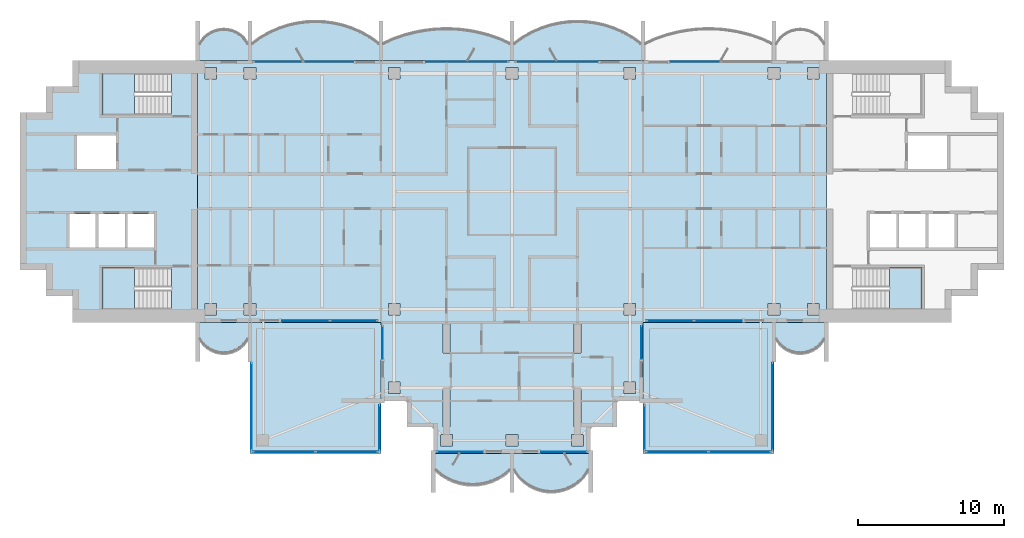
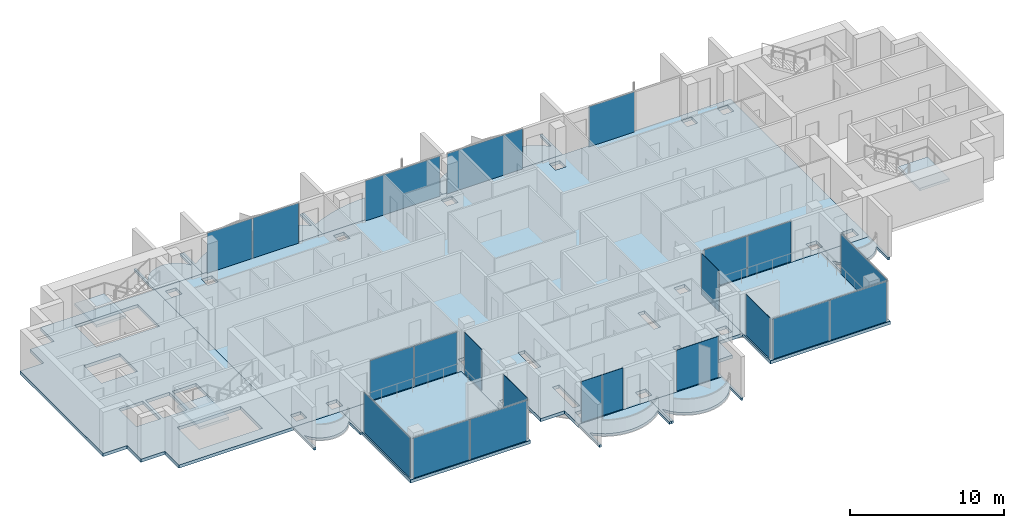
# One storey, part 5 of 16: 21 plates, 15 slabs, 19 elements without a shape of their own.
"""IFC4 building model written with IfcOpenShell, lengths in metres."""

from ifc_helpers import new_model, si_unit, direction, frame, origin, origin_2d, place, context, subcontext, project, spatial, polyline, rectangle, outline, extrude, material, layer, layer_set, type_object, element, aggregate, save


model = new_model("IFC4")

# Units and contexts
model_context = context("Model", 3, precision=1e-05, world=origin(), true_north=direction((0.0, 1.0)))
body_context = subcontext(model_context, "Body", "Model", "MODEL_VIEW")
ifc_project = project(units=[si_unit("LENGTHUNIT", "METRE"), si_unit("AREAUNIT", "SQUARE_METRE"), si_unit("VOLUMEUNIT", "CUBIC_METRE"), si_unit("PLANEANGLEUNIT", "RADIAN"), si_unit("MASSUNIT", "GRAM", prefix="KILO")], contexts=[model_context])

# Site, building, storey
site_placement = place(None, origin())
site = spatial("IfcSite", under=ifc_project, at=site_placement, CompositionType="ELEMENT")
building_placement = place(site_placement, origin())
building = spatial("IfcBuilding", under=site, at=building_placement, Name="Perihelion Cross Residences", CompositionType="ELEMENT")
storey_placement = place(building_placement, frame((0.0, 0.0, 246.5)))
storey = spatial("IfcBuildingStorey", under=building, at=storey_placement, Name="L62", CompositionType="ELEMENT", Elevation=246.5)

# Slabs
ifc_material_1 = material(Name="Concrete C40/50", Category="concrete")
ifc_layer_1 = layer(ifc_material_1, 0.199951171875)
ifc_layer_set_1 = layer_set([ifc_layer_1], Name="Balcony slab 200")
slab_type_1 = type_object("IfcSlabType", Name="Balcony slab 200", PredefinedType="FLOOR", material=ifc_layer_set_1)
slab_1_placement = place(storey_placement, frame((0.0, 0.0, -0.199951171875)))
element("IfcSlab", 1, at=slab_1_placement, inside=storey, type_object=slab_type_1, Name="Slab BK1 L62 north side east bay 1 balcony", PredefinedType="FLOOR", context=body_context, shape_type="SweptSolid", body=[
    extrude(outline(polyline([(9.0, 9.0), (0.0, 9.0), (0.0, 11.699951171875), (0.14990234375, 11.699951171875), (0.14990234375, 10.199951171875), (0.771484375, 10.634765625), (1.392822265625, 10.979248046875), (2.014404296875, 11.247802734375), (2.6357421875, 11.44921875), (3.257080078125, 11.589599609375), (3.878662109375, 11.672607421875), (4.5, 11.699951171875), (5.121337890625, 11.672607421875), (5.742919921875, 11.589599609375), (6.3642578125, 11.44921875), (6.985595703125, 11.247802734375), (7.607177734375, 10.979248046875), (8.228515625, 10.634765625), (8.85009765625, 10.199951171875), (8.85009765625, 11.699951171875), (9.0, 11.699951171875), (9.0, 9.0)])), origin(), (0.0, 0.0, 1.0), 0.199951171875),
])
slab_2_placement = place(storey_placement, frame((0.0, 0.0, -0.199951171875)))
element("IfcSlab", 2, at=slab_2_placement, inside=storey, type_object=slab_type_1, Name="Slab BK1 L62 north side east bay 2 balcony", PredefinedType="FLOOR", context=body_context, shape_type="SweptSolid", body=[
    extrude(outline(polyline([(0.0, 9.0), (-9.0, 9.0), (-9.0, 11.699951171875), (-8.85009765625, 11.699951171875), (-8.85009765625, 10.199951171875), (-8.125, 10.51708984375), (-7.39990234375, 10.7685546875), (-6.675048828125, 10.959716796875), (-5.949951171875, 11.093994140625), (-5.22509765625, 11.173583984375), (-4.5, 11.199951171875), (-3.77490234375, 11.173583984375), (-3.050048828125, 11.093994140625), (-2.324951171875, 10.959716796875), (-1.60009765625, 10.7685546875), (-0.875, 10.51708984375), (-0.14990234375, 10.199951171875), (-0.14990234375, 11.699951171875), (0.0, 11.699951171875), (0.0, 9.0)])), origin(), (0.0, 0.0, 1.0), 0.199951171875),
])
slab_3_placement = place(storey_placement, frame((0.0, 0.0, -0.199951171875)))
element("IfcSlab", 3, at=slab_3_placement, inside=storey, type_object=slab_type_1, Name="Slab BK1 L62 west side north bay 1 balcony", PredefinedType="FLOOR", context=body_context, shape_type="SweptSolid", body=[
    extrude(outline(polyline([(-9.0, 9.0), (-18.0, 9.0), (-18.0, 11.699951171875), (-17.85009765625, 11.699951171875), (-17.85009765625, 10.199951171875), (-17.228515625, 10.634765625), (-16.607177734375, 10.979248046875), (-15.985595703125, 11.247802734375), (-15.3642578125, 11.44921875), (-14.742919921875, 11.589599609375), (-14.121337890625, 11.672607421875), (-13.5, 11.699951171875), (-12.878662109375, 11.672607421875), (-12.257080078125, 11.589599609375), (-11.6357421875, 11.44921875), (-11.014404296875, 11.247802734375), (-10.392822265625, 10.979248046875), (-9.771484375, 10.634765625), (-9.14990234375, 10.199951171875), (-9.14990234375, 11.699951171875), (-9.0, 11.699951171875), (-9.0, 9.0)])), origin(), (0.0, 0.0, 1.0), 0.199951171875),
])
slab_4_placement = place(storey_placement, frame((0.0, 0.0, -0.199951171875)))
element("IfcSlab", 4, at=slab_4_placement, inside=storey, type_object=slab_type_1, Name="Slab BK1 L62 west side north bay 2 balcony", PredefinedType="FLOOR", context=body_context, shape_type="SweptSolid", body=[
    extrude(outline(polyline([(-18.0, 9.0), (-21.60009765625, 9.0), (-21.60009765625, 11.699951171875), (-21.449951171875, 11.699951171875), (-21.449951171875, 10.199951171875), (-21.175048828125, 10.568603515625), (-20.89990234375, 10.806396484375), (-20.625, 10.96875), (-20.35009765625, 11.07568359375), (-20.074951171875, 11.136962890625), (-19.800048828125, 11.156982421875), (-19.52490234375, 11.136962890625), (-19.25, 11.07568359375), (-18.97509765625, 10.96875), (-18.699951171875, 10.806396484375), (-18.425048828125, 10.568603515625), (-18.14990234375, 10.199951171875), (-18.14990234375, 11.699951171875), (-18.0, 11.699951171875), (-18.0, 9.0)])), origin(), (0.0, 0.0, 1.0), 0.199951171875),
])
slab_5_placement = place(storey_placement, frame((0.0, 0.0, -0.199951171875)))
element("IfcSlab", 5, at=slab_5_placement, inside=storey, type_object=slab_type_1, Name="Slab BK1 L62 west side south bay 1 balcony", PredefinedType="FLOOR", context=body_context, shape_type="SweptSolid", body=[
    extrude(outline(polyline([(-21.60009765625, -9.0), (-18.0, -9.0), (-18.0, -11.699951171875), (-18.14990234375, -11.699951171875), (-18.14990234375, -10.199951171875), (-18.425048828125, -10.568603515625), (-18.699951171875, -10.806396484375), (-18.97509765625, -10.96875), (-19.25, -11.07568359375), (-19.52490234375, -11.136962890625), (-19.800048828125, -11.156982421875), (-20.074951171875, -11.136962890625), (-20.35009765625, -11.07568359375), (-20.625, -10.96875), (-20.89990234375, -10.806396484375), (-21.175048828125, -10.568603515625), (-21.449951171875, -10.199951171875), (-21.449951171875, -11.699951171875), (-21.60009765625, -11.699951171875), (-21.60009765625, -9.0)])), origin(), (0.0, 0.0, 1.0), 0.199951171875),
])
slab_6_placement = place(storey_placement, frame((0.0, 0.0, -0.199951171875)))
element("IfcSlab", 6, at=slab_6_placement, inside=storey, type_object=slab_type_1, Name="Slab BK1 L62 south tip south bay 1 balcony", PredefinedType="FLOOR", context=body_context, shape_type="SweptSolid", body=[
    extrude(outline(polyline([(-5.39990234375, -18.0), (0.0, -18.0), (0.0, -20.699951171875), (-0.14990234375, -20.699951171875), (-0.14990234375, -19.199951171875), (-0.574951171875, -19.5400390625), (-1.0, -19.792724609375), (-1.425048828125, -19.9765625), (-1.85009765625, -20.1025390625), (-2.27490234375, -20.17578125), (-2.699951171875, -20.199951171875), (-3.125, -20.17578125), (-3.550048828125, -20.1025390625), (-3.97509765625, -19.9765625), (-4.39990234375, -19.792724609375), (-4.824951171875, -19.5400390625), (-5.25, -19.199951171875), (-5.25, -20.699951171875), (-5.39990234375, -20.699951171875), (-5.39990234375, -18.0)])), origin(), (0.0, 0.0, 1.0), 0.199951171875),
])
slab_7_placement = place(storey_placement, frame((0.0, 0.0, -0.199951171875)))
element("IfcSlab", 7, at=slab_7_placement, inside=storey, type_object=slab_type_1, Name="Slab BK1 L62 south tip south bay 2 balcony", PredefinedType="FLOOR", context=body_context, shape_type="SweptSolid", body=[
    extrude(outline(polyline([(0.0, -18.0), (5.39990234375, -18.0), (5.39990234375, -20.699951171875), (5.25, -20.699951171875), (5.25, -19.199951171875), (4.909912109375, -19.6767578125), (4.570068359375, -20.007080078125), (4.22998046875, -20.2490234375), (3.889892578125, -20.42724609375), (3.550048828125, -20.553466796875), (3.2099609375, -20.63427734375), (2.8701171875, -20.674072265625), (2.530029296875, -20.674072265625), (2.18994140625, -20.63427734375), (1.85009765625, -20.553466796875), (1.510009765625, -20.42724609375), (1.169921875, -20.2490234375), (0.830078125, -20.007080078125), (0.489990234375, -19.6767578125), (0.14990234375, -19.199951171875), (0.14990234375, -20.699951171875), (0.0, -20.699951171875), (0.0, -18.0)])), origin(), (0.0, 0.0, 1.0), 0.199951171875),
])
slab_8_placement = place(storey_placement, frame((0.0, 0.0, -0.199951171875)))
element("IfcSlab", 8, at=slab_8_placement, inside=storey, type_object=slab_type_1, Name="Slab BK1 L62 east side south bay 2 balcony", PredefinedType="FLOOR", context=body_context, shape_type="SweptSolid", body=[
    extrude(outline(polyline([(18.0, -9.0), (21.60009765625, -9.0), (21.60009765625, -11.699951171875), (21.449951171875, -11.699951171875), (21.449951171875, -10.199951171875), (21.175048828125, -10.568603515625), (20.89990234375, -10.806396484375), (20.625, -10.96875), (20.35009765625, -11.07568359375), (20.074951171875, -11.136962890625), (19.800048828125, -11.156982421875), (19.52490234375, -11.136962890625), (19.25, -11.07568359375), (18.97509765625, -10.96875), (18.699951171875, -10.806396484375), (18.425048828125, -10.568603515625), (18.14990234375, -10.199951171875), (18.14990234375, -11.699951171875), (18.0, -11.699951171875), (18.0, -9.0)])), origin(), (0.0, 0.0, 1.0), 0.199951171875),
])

# Curtain wall, plate
ifc_material_2 = material(Name="Bronze anodised aluminium, tinted glazing", Category="aluminium")
curtain_wall_type_1 = type_object("IfcCurtainWallType", Name="CW1", PredefinedType="NOTDEFINED", material=ifc_material_2)
curtain_wall_1_placement = place(storey_placement, origin())
curtain_wall_1 = element("IfcCurtainWall", 9, at=curtain_wall_1_placement, inside=storey, type_object=curtain_wall_type_1, Name="Curtain wall CW1 L62 east side north bay 2", PredefinedType="NOTDEFINED")
ifc_material_3 = material(Name="Tinted laminated glass", Category="glass")
ifc_layer_2 = layer(ifc_material_3, 0.028076171875)
ifc_layer_set_2 = layer_set([ifc_layer_2], Name="CW1 panel")
plate_type_1 = type_object("IfcPlateType", Name="CW1 panel", PredefinedType="CURTAIN_PANEL", material=ifc_layer_set_2)
plate_1_placement = place(storey_placement, frame((12.610107421875, 8.89990234375, 0.0), z_axis=(0.0, 0.0, 1.0), x_axis=(-1.0, 0.0, 0.0)))
plate_1 = element("IfcPlate", 10, at=plate_1_placement, type_object=plate_type_1, Name="CW1 panel 2", PredefinedType="CURTAIN_PANEL", context=body_context, shape_type="SweptSolid", body=[
    extrude(rectangle(XDim=3.419921875, YDim=0.028076171875, at=origin_2d()), origin(), (0.0, 0.0, 1.0), 3.18994140625),
])
aggregate(curtain_wall_1, [plate_1])

curtain_wall_2_placement = place(storey_placement, origin())
curtain_wall_2 = element("IfcCurtainWall", 11, at=curtain_wall_2_placement, inside=storey, type_object=curtain_wall_type_1, Name="Curtain wall CW1 L62 north side east bay 1", PredefinedType="NOTDEFINED")
plate_2_placement = place(storey_placement, frame((3.080078125, 8.89990234375, 0.0), z_axis=(0.0, 0.0, 1.0), x_axis=(-1.0, 0.0, 0.0)))
plate_2 = element("IfcPlate", 12, at=plate_2_placement, type_object=plate_type_1, Name="CW1 panel 1", PredefinedType="CURTAIN_PANEL", context=body_context, shape_type="SweptSolid", body=[
    extrude(rectangle(XDim=5.639892578125, YDim=0.028076171875, at=origin_2d()), origin(), (0.0, 0.0, 1.0), 3.18994140625),
])
aggregate(curtain_wall_2, [plate_2])

curtain_wall_3_placement = place(storey_placement, origin())
curtain_wall_3 = element("IfcCurtainWall", 13, at=curtain_wall_3_placement, inside=storey, type_object=curtain_wall_type_1, Name="Curtain wall CW1 L62 north side east bay 2", PredefinedType="NOTDEFINED")
plate_3_placement = place(storey_placement, frame((-3.080078125, 8.89990234375, 0.0), z_axis=(0.0, 0.0, 1.0), x_axis=(-1.0, 0.0, 0.0)))
plate_3 = element("IfcPlate", 14, at=plate_3_placement, type_object=plate_type_1, Name="CW1 panel 1", PredefinedType="CURTAIN_PANEL", context=body_context, shape_type="SweptSolid", body=[
    extrude(rectangle(XDim=5.639892578125, YDim=0.028076171875, at=origin_2d()), origin(), (0.0, 0.0, 1.0), 3.18994140625),
])
aggregate(curtain_wall_3, [plate_3])

# Curtain wall, plates
curtain_wall_4_placement = place(storey_placement, origin())
curtain_wall_4 = element("IfcCurtainWall", 15, at=curtain_wall_4_placement, inside=storey, type_object=curtain_wall_type_1, Name="Curtain wall CW1 L62 west side north bay 1", PredefinedType="NOTDEFINED")
plate_4_placement = place(storey_placement, frame((-12.610107421875, 8.89990234375, 0.0), z_axis=(0.0, 0.0, 1.0), x_axis=(-1.0, 0.0, 0.0)))
plate_4 = element("IfcPlate", 16, at=plate_4_placement, type_object=plate_type_1, Name="CW1 panel 1", PredefinedType="CURTAIN_PANEL", context=body_context, shape_type="SweptSolid", body=[
    extrude(rectangle(XDim=3.419921875, YDim=0.028076171875, at=origin_2d()), origin(), (0.0, 0.0, 1.0), 3.18994140625),
])
plate_5_placement = place(storey_placement, frame((-16.06005859375, 8.89990234375, 0.0), z_axis=(0.0, 0.0, 1.0), x_axis=(-1.0, 0.0, 0.0)))
plate_5 = element("IfcPlate", 17, at=plate_5_placement, type_object=plate_type_1, Name="CW1 panel 2", PredefinedType="CURTAIN_PANEL", context=body_context, shape_type="SweptSolid", body=[
    extrude(rectangle(XDim=3.360107421875, YDim=0.028076171875, at=origin_2d()), origin(), (0.0, 0.0, 1.0), 3.18994140625),
])
aggregate(curtain_wall_4, [plate_4, plate_5])

curtain_wall_5_placement = place(storey_placement, origin())
curtain_wall_5 = element("IfcCurtainWall", 18, at=curtain_wall_5_placement, inside=storey, type_object=curtain_wall_type_1, Name="Curtain wall CW1 L62 west side south bay 2", PredefinedType="NOTDEFINED")
plate_6_placement = place(storey_placement, frame((-14.1650390625, -8.89990234375, 0.0), z_axis=(0.0, 0.0, 1.0), x_axis=(1.0, 0.0, 0.0)))
plate_6 = element("IfcPlate", 19, at=plate_6_placement, type_object=plate_type_1, Name="CW1 panel 1", PredefinedType="CURTAIN_PANEL", context=body_context, shape_type="SweptSolid", body=[
    extrude(rectangle(XDim=3.27001953125, YDim=0.028076171875, at=origin_2d()), origin(), (0.0, 0.0, 1.0), 3.18994140625),
])
plate_7_placement = place(storey_placement, frame((-10.864990234375, -8.89990234375, 0.0), z_axis=(0.0, 0.0, 1.0), x_axis=(1.0, 0.0, 0.0)))
plate_7 = element("IfcPlate", 20, at=plate_7_placement, type_object=plate_type_1, Name="CW1 panel 2", PredefinedType="CURTAIN_PANEL", context=body_context, shape_type="SweptSolid", body=[
    extrude(rectangle(XDim=3.2099609375, YDim=0.028076171875, at=origin_2d()), origin(), (0.0, 0.0, 1.0), 3.18994140625),
])
aggregate(curtain_wall_5, [plate_6, plate_7])

# Curtain wall, plate
curtain_wall_6_placement = place(storey_placement, origin())
curtain_wall_6 = element("IfcCurtainWall", 21, at=curtain_wall_6_placement, inside=storey, type_object=curtain_wall_type_1, Name="Curtain wall CW1 L62 south side west bay 1", PredefinedType="NOTDEFINED")
plate_8_placement = place(storey_placement, frame((-8.89990234375, -10.3798828125, 0.0), z_axis=(0.0, 0.0, 1.0), x_axis=(0.0, -1.0, 0.0)))
plate_8 = element("IfcPlate", 22, at=plate_8_placement, type_object=plate_type_1, Name="CW1 panel 1", PredefinedType="CURTAIN_PANEL", context=body_context, shape_type="SweptSolid", body=[
    extrude(rectangle(XDim=2.239990234375, YDim=0.028076171875, at=origin_2d()), origin(), (0.0, 0.0, 1.0), 3.25),
])
aggregate(curtain_wall_6, [plate_8])

curtain_wall_7_placement = place(storey_placement, origin())
curtain_wall_7 = element("IfcCurtainWall", 23, at=curtain_wall_7_placement, inside=storey, type_object=curtain_wall_type_1, Name="Curtain wall CW1 L62 south tip south bay 1", PredefinedType="NOTDEFINED")
plate_9_placement = place(storey_placement, frame((-3.570068359375, -17.89990234375, 0.0), z_axis=(0.0, 0.0, 1.0), x_axis=(1.0, 0.0, 0.0)))
plate_9 = element("IfcPlate", 24, at=plate_9_placement, type_object=plate_type_1, Name="CW1 panel 1", PredefinedType="CURTAIN_PANEL", context=body_context, shape_type="SweptSolid", body=[
    extrude(rectangle(XDim=3.139892578125, YDim=0.028076171875, at=origin_2d()), origin(), (0.0, 0.0, 1.0), 3.25),
])
aggregate(curtain_wall_7, [plate_9])

curtain_wall_8_placement = place(storey_placement, origin())
curtain_wall_8 = element("IfcCurtainWall", 25, at=curtain_wall_8_placement, inside=storey, type_object=curtain_wall_type_1, Name="Curtain wall CW1 L62 south tip south bay 2", PredefinedType="NOTDEFINED")
plate_10_placement = place(storey_placement, frame((3.570068359375, -17.89990234375, 0.0), z_axis=(0.0, 0.0, 1.0), x_axis=(1.0, 0.0, 0.0)))
plate_10 = element("IfcPlate", 26, at=plate_10_placement, type_object=plate_type_1, Name="CW1 panel 1", PredefinedType="CURTAIN_PANEL", context=body_context, shape_type="SweptSolid", body=[
    extrude(rectangle(XDim=3.139892578125, YDim=0.028076171875, at=origin_2d()), origin(), (0.0, 0.0, 1.0), 3.25),
])
aggregate(curtain_wall_8, [plate_10])

curtain_wall_9_placement = place(storey_placement, origin())
curtain_wall_9 = element("IfcCurtainWall", 27, at=curtain_wall_9_placement, inside=storey, type_object=curtain_wall_type_1, Name="Curtain wall CW1 L62 south side east bay 1", PredefinedType="NOTDEFINED")
plate_11_placement = place(storey_placement, frame((8.89990234375, -10.3798828125, 0.0), z_axis=(0.0, 0.0, 1.0), x_axis=(0.0, 1.0, 0.0)))
plate_11 = element("IfcPlate", 28, at=plate_11_placement, type_object=plate_type_1, Name="CW1 panel 1", PredefinedType="CURTAIN_PANEL", context=body_context, shape_type="SweptSolid", body=[
    extrude(rectangle(XDim=2.239990234375, YDim=0.028076171875, at=origin_2d()), origin(), (0.0, 0.0, 1.0), 3.25),
])
aggregate(curtain_wall_9, [plate_11])

# Curtain wall, plates
curtain_wall_10_placement = place(storey_placement, origin())
curtain_wall_10 = element("IfcCurtainWall", 29, at=curtain_wall_10_placement, inside=storey, type_object=curtain_wall_type_1, Name="Curtain wall CW1 L62 east side south bay 1", PredefinedType="NOTDEFINED")
plate_12_placement = place(storey_placement, frame((10.864990234375, -8.89990234375, 0.0), z_axis=(0.0, 0.0, 1.0), x_axis=(1.0, 0.0, 0.0)))
plate_12 = element("IfcPlate", 30, at=plate_12_placement, type_object=plate_type_1, Name="CW1 panel 1", PredefinedType="CURTAIN_PANEL", context=body_context, shape_type="SweptSolid", body=[
    extrude(rectangle(XDim=3.2099609375, YDim=0.028076171875, at=origin_2d()), origin(), (0.0, 0.0, 1.0), 3.18994140625),
])
plate_13_placement = place(storey_placement, frame((14.1650390625, -8.89990234375, 0.0), z_axis=(0.0, 0.0, 1.0), x_axis=(1.0, 0.0, 0.0)))
plate_13 = element("IfcPlate", 31, at=plate_13_placement, type_object=plate_type_1, Name="CW1 panel 2", PredefinedType="CURTAIN_PANEL", context=body_context, shape_type="SweptSolid", body=[
    extrude(rectangle(XDim=3.27001953125, YDim=0.028076171875, at=origin_2d()), origin(), (0.0, 0.0, 1.0), 3.18994140625),
])
aggregate(curtain_wall_10, [plate_12, plate_13])

# Curtain wall, plate
ifc_material_4 = material(Name="Bronze anodised aluminium, tinted glazing", Category="aluminium")
curtain_wall_type_2 = type_object("IfcCurtainWallType", Name="CW4", PredefinedType="NOTDEFINED", material=ifc_material_4)
curtain_wall_11_placement = place(storey_placement, origin())
curtain_wall_11 = element("IfcCurtainWall", 32, at=curtain_wall_11_placement, inside=storey, type_object=curtain_wall_type_2, Name="Curtain wall CW4 L62 pocket south-east 1 1", PredefinedType="NOTDEFINED")
ifc_material_5 = material(Name="Tinted laminated glass", Category="glass")
ifc_layer_3 = layer(ifc_material_5, 0.030029296875)
ifc_layer_set_3 = layer_set([ifc_layer_3], Name="CW4 panel")
plate_type_2 = type_object("IfcPlateType", Name="CW4 panel", PredefinedType="CURTAIN_PANEL", material=ifc_layer_set_3)
plate_14_placement = place(storey_placement, frame((17.89990234375, -14.784912109375, 0.0), z_axis=(0.0, 0.0, 1.0), x_axis=(0.0, -1.0, 0.0)))
plate_14 = element("IfcPlate", 33, at=plate_14_placement, type_object=plate_type_2, Name="CW4 panel 1", PredefinedType="CURTAIN_PANEL", context=body_context, shape_type="SweptSolid", body=[
    extrude(rectangle(XDim=5.969970703125, YDim=0.030029296875, at=origin_2d()), origin(), (0.0, 0.0, 1.0), 3.18994140625),
])
aggregate(curtain_wall_11, [plate_14])

# Curtain wall, plates
curtain_wall_12_placement = place(storey_placement, origin())
curtain_wall_12 = element("IfcCurtainWall", 34, at=curtain_wall_12_placement, inside=storey, type_object=curtain_wall_type_2, Name="Curtain wall CW4 L62 pocket south-east 1 2", PredefinedType="NOTDEFINED")
plate_15_placement = place(storey_placement, frame((15.64990234375, -17.89990234375, 0.0), z_axis=(0.0, 0.0, 1.0), x_axis=(-1.0, 0.0, 0.0)))
plate_15 = element("IfcPlate", 35, at=plate_15_placement, type_object=plate_type_2, Name="CW4 panel 1", PredefinedType="CURTAIN_PANEL", context=body_context, shape_type="SweptSolid", body=[
    extrude(rectangle(XDim=4.239990234375, YDim=0.030029296875, at=origin_2d()), origin(), (0.0, 0.0, 1.0), 3.18994140625),
])
plate_16_placement = place(storey_placement, frame((11.35009765625, -17.89990234375, 0.0), z_axis=(0.0, 0.0, 1.0), x_axis=(-1.0, 0.0, 0.0)))
plate_16 = element("IfcPlate", 36, at=plate_16_placement, type_object=plate_type_2, Name="CW4 panel 2", PredefinedType="CURTAIN_PANEL", context=body_context, shape_type="SweptSolid", body=[
    extrude(rectangle(XDim=4.239990234375, YDim=0.030029296875, at=origin_2d()), origin(), (0.0, 0.0, 1.0), 3.18994140625),
])
aggregate(curtain_wall_12, [plate_15, plate_16])

# Curtain wall, plate
curtain_wall_13_placement = place(storey_placement, origin())
curtain_wall_13 = element("IfcCurtainWall", 37, at=curtain_wall_13_placement, inside=storey, type_object=curtain_wall_type_2, Name="Curtain wall CW4 L62 pocket south-east 1 3", PredefinedType="NOTDEFINED")
plate_17_placement = place(storey_placement, frame((9.10009765625, -16.2294921875, 0.0), z_axis=(0.0, 0.0, 1.0), x_axis=(0.0, 1.0, 0.0)))
plate_17 = element("IfcPlate", 38, at=plate_17_placement, type_object=plate_type_2, Name="CW4 panel 1", PredefinedType="CURTAIN_PANEL", context=body_context, shape_type="SweptSolid", body=[
    extrude(rectangle(XDim=3.0810546875, YDim=0.030029296875, at=origin_2d()), origin(), (0.0, 0.0, 1.0), 3.25),
])
aggregate(curtain_wall_13, [plate_17])

curtain_wall_14_placement = place(storey_placement, origin())
curtain_wall_14 = element("IfcCurtainWall", 39, at=curtain_wall_14_placement, inside=storey, type_object=curtain_wall_type_2, Name="Curtain wall CW4 L62 pocket south-west 1 1", PredefinedType="NOTDEFINED")
plate_18_placement = place(storey_placement, frame((-9.10009765625, -16.2294921875, 0.0), z_axis=(0.0, 0.0, 1.0), x_axis=(0.0, -1.0, 0.0)))
plate_18 = element("IfcPlate", 40, at=plate_18_placement, type_object=plate_type_2, Name="CW4 panel 1", PredefinedType="CURTAIN_PANEL", context=body_context, shape_type="SweptSolid", body=[
    extrude(rectangle(XDim=3.0810546875, YDim=0.030029296875, at=origin_2d()), origin(), (0.0, 0.0, 1.0), 3.25),
])
aggregate(curtain_wall_14, [plate_18])

# Curtain wall, plates
curtain_wall_15_placement = place(storey_placement, origin())
curtain_wall_15 = element("IfcCurtainWall", 41, at=curtain_wall_15_placement, inside=storey, type_object=curtain_wall_type_2, Name="Curtain wall CW4 L62 pocket south-west 1 2", PredefinedType="NOTDEFINED")
plate_19_placement = place(storey_placement, frame((-11.35009765625, -17.89990234375, 0.0), z_axis=(0.0, 0.0, 1.0), x_axis=(-1.0, 0.0, 0.0)))
plate_19 = element("IfcPlate", 42, at=plate_19_placement, type_object=plate_type_2, Name="CW4 panel 1", PredefinedType="CURTAIN_PANEL", context=body_context, shape_type="SweptSolid", body=[
    extrude(rectangle(XDim=4.239990234375, YDim=0.030029296875, at=origin_2d()), origin(), (0.0, 0.0, 1.0), 3.18994140625),
])
plate_20_placement = place(storey_placement, frame((-15.64990234375, -17.89990234375, 0.0), z_axis=(0.0, 0.0, 1.0), x_axis=(-1.0, 0.0, 0.0)))
plate_20 = element("IfcPlate", 43, at=plate_20_placement, type_object=plate_type_2, Name="CW4 panel 2", PredefinedType="CURTAIN_PANEL", context=body_context, shape_type="SweptSolid", body=[
    extrude(rectangle(XDim=4.239990234375, YDim=0.030029296875, at=origin_2d()), origin(), (0.0, 0.0, 1.0), 3.18994140625),
])
aggregate(curtain_wall_15, [plate_19, plate_20])

# Curtain wall, plate
curtain_wall_16_placement = place(storey_placement, origin())
curtain_wall_16 = element("IfcCurtainWall", 44, at=curtain_wall_16_placement, inside=storey, type_object=curtain_wall_type_2, Name="Curtain wall CW4 L62 pocket south-west 1 3", PredefinedType="NOTDEFINED")
plate_21_placement = place(storey_placement, frame((-17.89990234375, -14.784912109375, 0.0), z_axis=(0.0, 0.0, 1.0), x_axis=(0.0, 1.0, 0.0)))
plate_21 = element("IfcPlate", 45, at=plate_21_placement, type_object=plate_type_2, Name="CW4 panel 1", PredefinedType="CURTAIN_PANEL", context=body_context, shape_type="SweptSolid", body=[
    extrude(rectangle(XDim=5.969970703125, YDim=0.030029296875, at=origin_2d()), origin(), (0.0, 0.0, 1.0), 3.18994140625),
])
aggregate(curtain_wall_16, [plate_21])

# Slab
ifc_material_6 = material(Name="Concrete C40/50", Category="concrete")
ifc_layer_4 = layer(ifc_material_6, 0.25)
ifc_layer_set_4 = layer_set([ifc_layer_4], Name="Core floor slab 250")
slab_type_2 = type_object("IfcSlabType", Name="Core floor slab 250", PredefinedType="FLOOR", material=ifc_layer_set_4)
slab_9_placement = place(storey_placement, frame((0.0, 0.0, -0.25)))
element("IfcSlab", 46, at=slab_9_placement, inside=storey, type_object=slab_type_2, Name="West core floor slab", PredefinedType="FLOOR", context=body_context, shape_type="SweptSolid", body=[
    extrude(outline(polyline([(-30.199951171875, 7.199951171875), (-32.0, 7.199951171875), (-32.0, 5.39990234375), (-33.800048828125, 5.39990234375), (-33.800048828125, -5.39990234375), (-32.0, -5.39990234375), (-32.0, -7.199951171875), (-30.199951171875, -7.199951171875), (-30.199951171875, -9.0), (-21.60009765625, -9.0), (-21.60009765625, 9.0), (-30.199951171875, 9.0), (-30.199951171875, 7.199951171875)]), holes=[polyline([(-28.14990234375, -8.10009765625), (-28.14990234375, -5.25), (-23.405029296875, -5.25), (-23.405029296875, -8.10009765625), (-28.14990234375, -8.10009765625)]), polyline([(-24.60009765625, -1.550048828125), (-24.60009765625, -3.85009765625), (-26.39990234375, -3.85009765625), (-26.39990234375, -1.550048828125), (-24.60009765625, -1.550048828125)]), polyline([(-26.60009765625, -1.550048828125), (-26.60009765625, -3.85009765625), (-28.39990234375, -3.85009765625), (-28.39990234375, -1.550048828125), (-26.60009765625, -1.550048828125)]), polyline([(-28.60009765625, -3.85009765625), (-30.39990234375, -3.85009765625), (-30.39990234375, -1.550048828125), (-28.60009765625, -1.550048828125), (-28.60009765625, -3.85009765625)]), polyline([(-27.199951171875, 3.85009765625), (-27.199951171875, 1.550048828125), (-29.89990234375, 1.550048828125), (-29.89990234375, 3.85009765625), (-27.199951171875, 3.85009765625)]), polyline([(-23.405029296875, 5.25), (-28.14990234375, 5.25), (-28.14990234375, 8.10009765625), (-23.405029296875, 8.10009765625), (-23.405029296875, 5.25)])]), origin(), (0.0, 0.0, 1.0), 0.25),
])

# Stair, slab
ifc_material_7 = material(Name="Concrete C40/50", Category="concrete")
stair_type = type_object("IfcStairType", Name="Exit stair, half-turn", PredefinedType="HALF_TURN_STAIR", material=ifc_material_7)
stair_1_placement = place(storey_placement, origin())
stair_1 = element("IfcStair", 47, at=stair_1_placement, inside=storey, type_object=stair_type, Name="L62 East core exit stair 2", PredefinedType="HALF_TURN_STAIR")
ifc_material_8 = material(Name="Concrete C40/50", Category="concrete")
ifc_layer_5 = layer(ifc_material_8, 0.199951171875)
ifc_layer_set_5 = layer_set([ifc_layer_5], Name="Exit stair landing 200")
slab_type_3 = type_object("IfcSlabType", Name="Exit stair landing 200", PredefinedType="LANDING", material=ifc_layer_set_5)
slab_10_placement = place(storey_placement, frame((0.0, 0.0, 1.550048828125)))
slab_10 = element("IfcSlab", 48, at=slab_10_placement, type_object=slab_type_3, Name="ST-E2 landing 1", PredefinedType="LANDING", context=body_context, shape_type="SweptSolid", body=[
    extrude(outline(polyline([(25.919921875, -8.10009765625), (28.14990234375, -8.10009765625), (28.14990234375, -5.25), (25.919921875, -5.25), (25.919921875, -8.10009765625)])), origin(), (0.0, 0.0, 1.0), 0.199951171875),
])
aggregate(stair_1, [slab_10])

stair_2_placement = place(storey_placement, origin())
stair_2 = element("IfcStair", 49, at=stair_2_placement, inside=storey, type_object=stair_type, Name="L62 West core exit stair 1", PredefinedType="HALF_TURN_STAIR")
slab_11_placement = place(storey_placement, frame((0.0, 0.0, 1.550048828125)))
slab_11 = element("IfcSlab", 50, at=slab_11_placement, type_object=slab_type_3, Name="ST-W1 landing 1", PredefinedType="LANDING", context=body_context, shape_type="SweptSolid", body=[
    extrude(outline(polyline([(-25.919921875, 8.10009765625), (-28.14990234375, 8.10009765625), (-28.14990234375, 5.25), (-25.919921875, 5.25), (-25.919921875, 8.10009765625)])), origin(), (0.0, 0.0, 1.0), 0.199951171875),
])
aggregate(stair_2, [slab_11])

stair_3_placement = place(storey_placement, origin())
stair_3 = element("IfcStair", 51, at=stair_3_placement, inside=storey, type_object=stair_type, Name="L62 West core exit stair 2", PredefinedType="HALF_TURN_STAIR")
slab_12_placement = place(storey_placement, frame((0.0, 0.0, 1.550048828125)))
slab_12 = element("IfcSlab", 52, at=slab_12_placement, type_object=slab_type_3, Name="ST-W2 landing 1", PredefinedType="LANDING", context=body_context, shape_type="SweptSolid", body=[
    extrude(outline(polyline([(-25.919921875, -5.25), (-28.14990234375, -5.25), (-28.14990234375, -8.10009765625), (-25.919921875, -8.10009765625), (-25.919921875, -5.25)])), origin(), (0.0, 0.0, 1.0), 0.199951171875),
])
aggregate(stair_3, [slab_12])

# Slabs
ifc_material_9 = material(Name="Concrete C50/60", Category="concrete")
ifc_layer_6 = layer(ifc_material_9, 0.25)
ifc_layer_set_6 = layer_set([ifc_layer_6], Name="Residential floor post-tensioned slab concrete C50/60")
slab_type_4 = type_object("IfcSlabType", Name="Residential floor post-tensioned slab concrete C50/60", PredefinedType="FLOOR", material=ifc_layer_set_6)
slab_13_placement = place(storey_placement, frame((0.0, 0.0, -0.25)))
element("IfcSlab", 53, at=slab_13_placement, inside=storey, type_object=slab_type_4, Name="Slab SL8 L62 1 no. 1", PredefinedType="FLOOR", context=body_context, shape_type="SweptSolid", body=[
    extrude(outline(polyline([(-9.0, 9.0), (9.0, 9.0), (21.60009765625, 9.0), (21.60009765625, -9.0), (9.0, -9.0), (9.0, -14.39990234375), (7.199951171875, -14.39990234375), (7.199951171875, -16.199951171875), (5.39990234375, -16.199951171875), (5.39990234375, -18.0), (-5.39990234375, -18.0), (-5.39990234375, -16.199951171875), (-7.199951171875, -16.199951171875), (-7.199951171875, -14.39990234375), (-9.0, -14.39990234375), (-9.0, -9.0), (-21.60009765625, -9.0), (-21.60009765625, 9.0), (-9.0, 9.0)]), holes=[polyline([(-4.10009765625, -16.699951171875), (-4.89990234375, -16.699951171875), (-4.89990234375, -17.5), (-4.10009765625, -17.5), (-4.10009765625, -16.699951171875)]), polyline([(0.39990234375, -17.5), (0.39990234375, -16.699951171875), (-0.39990234375, -16.699951171875), (-0.39990234375, -17.5), (0.39990234375, -17.5)]), polyline([(-4.25, -16.199951171875), (-4.25, -13.5), (-4.75, -13.5), (-4.75, -16.199951171875), (-4.25, -16.199951171875)]), polyline([(-7.699951171875, -13.10009765625), (-8.5, -13.10009765625), (-8.5, -13.89990234375), (-7.699951171875, -13.89990234375), (-7.699951171875, -13.10009765625)]), polyline([(-4.25, -11.10009765625), (-4.25, -9.0), (-4.75, -9.0), (-4.75, -11.10009765625), (-4.25, -11.10009765625)]), polyline([(-20.300048828125, -8.5), (-20.300048828125, -7.699951171875), (-21.10009765625, -7.699951171875), (-21.10009765625, -8.5), (-20.300048828125, -8.5)]), polyline([(-17.60009765625, -7.699951171875), (-18.39990234375, -7.699951171875), (-18.39990234375, -8.5), (-17.60009765625, -8.5), (-17.60009765625, -7.699951171875)]), polyline([(-7.699951171875, -8.5), (-7.699951171875, -7.699951171875), (-8.5, -7.699951171875), (-8.5, -8.5), (-7.699951171875, -8.5)]), polyline([(-20.300048828125, 8.5), (-21.10009765625, 8.5), (-21.10009765625, 7.699951171875), (-20.300048828125, 7.699951171875), (-20.300048828125, 8.5)]), polyline([(-17.60009765625, 7.699951171875), (-17.60009765625, 8.5), (-18.39990234375, 8.5), (-18.39990234375, 7.699951171875), (-17.60009765625, 7.699951171875)]), polyline([(-7.699951171875, 7.699951171875), (-7.699951171875, 8.5), (-8.5, 8.5), (-8.5, 7.699951171875), (-7.699951171875, 7.699951171875)]), polyline([(4.89990234375, -16.699951171875), (4.10009765625, -16.699951171875), (4.10009765625, -17.5), (4.89990234375, -17.5), (4.89990234375, -16.699951171875)]), polyline([(4.75, -16.199951171875), (4.75, -13.5), (4.25, -13.5), (4.25, -16.199951171875), (4.75, -16.199951171875)]), polyline([(8.5, -13.89990234375), (8.5, -13.10009765625), (7.699951171875, -13.10009765625), (7.699951171875, -13.89990234375), (8.5, -13.89990234375)]), polyline([(4.75, -9.0), (4.25, -9.0), (4.25, -11.10009765625), (4.75, -11.10009765625), (4.75, -9.0)]), polyline([(8.5, -8.5), (8.5, -7.699951171875), (7.699951171875, -7.699951171875), (7.699951171875, -8.5), (8.5, -8.5)]), polyline([(18.39990234375, -8.5), (18.39990234375, -7.699951171875), (17.60009765625, -7.699951171875), (17.60009765625, -8.5), (18.39990234375, -8.5)]), polyline([(21.10009765625, -7.699951171875), (20.300048828125, -7.699951171875), (20.300048828125, -8.5), (21.10009765625, -8.5), (21.10009765625, -7.699951171875)]), polyline([(0.39990234375, 7.699951171875), (0.39990234375, 8.5), (-0.39990234375, 8.5), (-0.39990234375, 7.699951171875), (0.39990234375, 7.699951171875)]), polyline([(8.5, 8.5), (7.699951171875, 8.5), (7.699951171875, 7.699951171875), (8.5, 7.699951171875), (8.5, 8.5)]), polyline([(18.39990234375, 7.699951171875), (18.39990234375, 8.5), (17.60009765625, 8.5), (17.60009765625, 7.699951171875), (18.39990234375, 7.699951171875)]), polyline([(21.10009765625, 7.699951171875), (21.10009765625, 8.5), (20.300048828125, 8.5), (20.300048828125, 7.699951171875), (21.10009765625, 7.699951171875)])]), origin(), (0.0, 0.0, 1.0), 0.25),
])
ifc_material_10 = material(Name="Concrete C40/50", Category="concrete")
ifc_layer_7 = layer(ifc_material_10, 0.25)
ifc_layer_set_7 = layer_set([ifc_layer_7], Name="Winter garden slab")
slab_type_5 = type_object("IfcSlabType", Name="Winter garden slab", PredefinedType="FLOOR", material=ifc_layer_set_7)
slab_14_placement = place(storey_placement, frame((0.0, 0.0, -0.25)))
element("IfcSlab", 54, at=slab_14_placement, inside=storey, type_object=slab_type_5, Name="Slab BK3 L62 pocket south-west", PredefinedType="FLOOR", context=body_context, shape_type="SweptSolid", body=[
    extrude(outline(polyline([(-9.0, -18.0), (-9.0, -9.0), (-18.0, -9.0), (-18.0, -18.0), (-9.0, -18.0)])), origin(), (0.0, 0.0, 1.0), 0.25),
])
slab_15_placement = place(storey_placement, frame((0.0, 0.0, -0.25)))
element("IfcSlab", 55, at=slab_15_placement, inside=storey, type_object=slab_type_5, Name="Slab BK3 L62 pocket south-east", PredefinedType="FLOOR", context=body_context, shape_type="SweptSolid", body=[
    extrude(outline(polyline([(18.0, -18.0), (18.0, -9.0), (9.0, -9.0), (9.0, -18.0), (18.0, -18.0)])), origin(), (0.0, 0.0, 1.0), 0.25),
])

save(model, "model.ifc")
